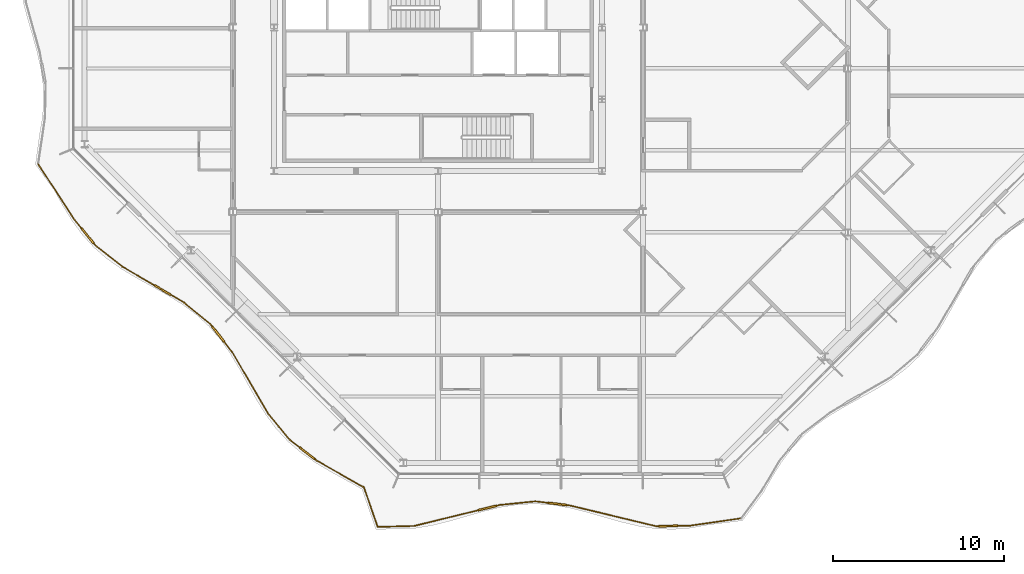
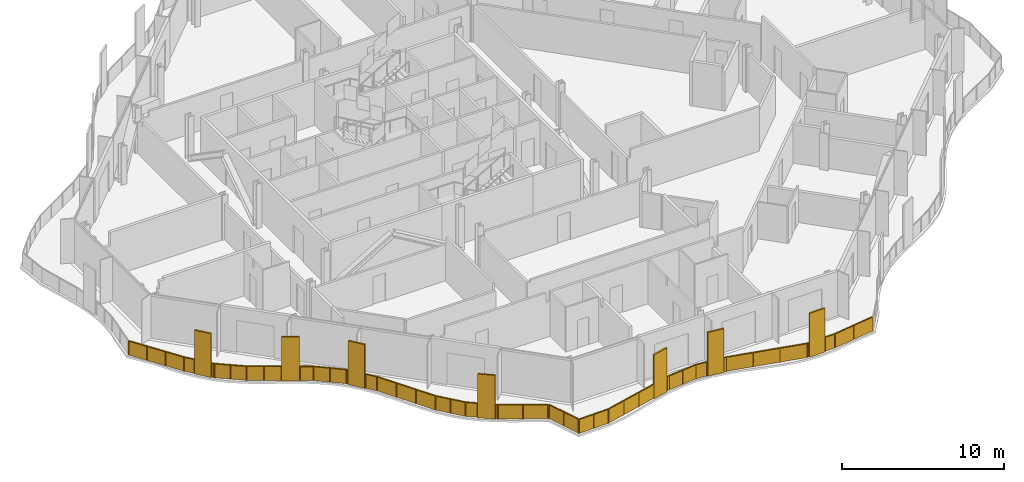
# One storey, part 13 of 17: 3 railings.
"""IFC4 building model written with IfcOpenShell, lengths in metres."""

from ifc_helpers import new_model, si_unit, direction, frame, origin, origin_2d, place, context, subcontext, project, spatial, polyline, rectangle, outline, extrude, material, type_object, element, save


model = new_model("IFC4")

# Units and contexts
model_context = context("Model", 3, precision=1e-05, world=origin(), true_north=direction((0.0, 1.0)))
body_context = subcontext(model_context, "Body", "Model", "MODEL_VIEW")
ifc_project = project(units=[si_unit("LENGTHUNIT", "METRE"), si_unit("AREAUNIT", "SQUARE_METRE"), si_unit("VOLUMEUNIT", "CUBIC_METRE"), si_unit("PLANEANGLEUNIT", "RADIAN"), si_unit("MASSUNIT", "GRAM", prefix="KILO")], contexts=[model_context])

# Site, building, storey
site_placement = place(None, origin())
site = spatial("IfcSite", under=ifc_project, at=site_placement, CompositionType="ELEMENT")
building_placement = place(site_placement, origin())
building = spatial("IfcBuilding", under=site, at=building_placement, Name="Cairn Pilgrim Tower", CompositionType="ELEMENT")
storey_placement = place(building_placement, frame((0.0, 0.0, 257.39990234375)))
storey = spatial("IfcBuildingStorey", under=building, at=storey_placement, Name="L66", CompositionType="ELEMENT", Elevation=257.39990234375)

# Railings
ifc_material_1 = material(Name="Bronze anodised aluminium rail and posts with laminated glass infill", Category="aluminium")
railing_type_1 = type_object("IfcRailingType", Name="BALCONY GUARD 1100", PredefinedType="GUARDRAIL", material=ifc_material_1)
railing_1_placement = place(storey_placement, frame((2.863037109375, -24.535400390625, 0.0)))
element("IfcRailing", 1, at=railing_1_placement, inside=storey, type_object=railing_type_1, Name="Balcony guard BG-9", PredefinedType="GUARDRAIL", context=body_context, shape_type="SweptSolid", body=[
    extrude(rectangle(XDim=0.050048828125, YDim=0.050048828125, at=origin_2d()), frame((0.0, 0.0, 1.0751953125), z_axis=(0.327071911717, -0.944999452151, 0.0), x_axis=(0.944999452151, 0.327071911717, 0.0)), (0.0, 0.0, 1.0), 2.386474609375),
    extrude(rectangle(XDim=0.050048828125, YDim=0.050048828125, at=origin_2d()), origin(), (0.0, 0.0, 1.0), 1.050048828125),
    extrude(rectangle(XDim=0.050048828125, YDim=0.050048828125, at=origin_2d()), frame((0.39013671875, -1.12744140625, 0.0)), (0.0, 0.0, 1.0), 1.050048828125),
    extrude(rectangle(XDim=0.050048828125, YDim=0.050048828125, at=origin_2d()), frame((0.780517578125, -2.255126953125, 0.0)), (0.0, 0.0, 1.0), 1.050048828125),
    extrude(outline(polyline([(0.02490234375, 0.0), (1.168212890625, 0.0), (1.168212890625, 1.050048828125), (0.02490234375, 1.050048828125), (0.02490234375, 0.0)])), frame((0.005615234375, 0.001953125, 0.0), z_axis=(-0.944999452151, -0.327071911717, 0.0), x_axis=(0.327071911717, -0.944999452151, 0.0)), (0.0, 0.0, 1.0), 0.011962890625),
    extrude(outline(polyline([(0.02490234375, 0.0), (1.168212890625, 0.0), (1.168212890625, 1.050048828125), (0.02490234375, 1.050048828125), (0.02490234375, 0.0)])), frame((0.39599609375, -1.12548828125, 0.0), z_axis=(-0.944999452151, -0.327071911717, 0.0), x_axis=(0.327071911717, -0.944999452151, 0.0)), (0.0, 0.0, 1.0), 0.011962890625),
])
ifc_material_2 = material(Name="Bronze anodised aluminium rail, posts and fin screens with laminated glass infill", Category="aluminium")
railing_type_2 = type_object("IfcRailingType", Name="BALCONY GUARD WITH FIN SCREENS", PredefinedType="GUARDRAIL", material=ifc_material_2)
railing_2_placement = place(storey_placement, frame((3.6630859375, -26.84716796875, 0.0)))
element("IfcRailing", 2, at=railing_2_placement, inside=storey, type_object=railing_type_2, Name="Balcony guard BGF-1 with fin screens", PredefinedType="GUARDRAIL", context=body_context, shape_type="SweptSolid", body=[
    extrude(rectangle(XDim=0.050048828125, YDim=0.050048828125, at=origin_2d()), frame((0.0, 0.0, 1.0751953125), z_axis=(0.999666816997, 0.025811915748, 0.0), x_axis=(-0.025811915748, 0.999666816997, 0.0)), (0.0, 0.0, 1.0), 2.128173828125),
    extrude(rectangle(XDim=1.10009765625, YDim=0.110107421875, at=origin_2d()), frame((6.423828125, 1.10498046875, 0.0), z_axis=(0.0, 0.0, 1.0), x_axis=(0.971403341759, 0.237435354613, 0.0)), (0.0, 0.0, 1.0), 3.300048828125),
    extrude(rectangle(XDim=0.050048828125, YDim=0.050048828125, at=origin_2d()), frame((2.12744140625, 0.054931640625, 1.0751953125), z_axis=(0.971403341759, 0.237435354613, 0.0), x_axis=(-0.237435354613, 0.971403341759, 0.0)), (0.0, 0.0, 1.0), 3.872802734375),
    extrude(rectangle(XDim=0.050048828125, YDim=0.050048828125, at=origin_2d()), frame((6.9580078125, 1.235595703125, 1.0751953125), z_axis=(0.971403341759, 0.237435354613, 0.0), x_axis=(-0.237435354613, 0.971403341759, 0.0)), (0.0, 0.0, 1.0), 0.222900390625),
    extrude(rectangle(XDim=0.050048828125, YDim=0.050048828125, at=origin_2d()), frame((7.174560546875, 1.28857421875, 1.0751953125), z_axis=(0.994833164728, 0.101523270029, 0.0), x_axis=(-0.101523270029, 0.994833164728, 0.0)), (0.0, 0.0, 1.0), 2.05859375),
    extrude(rectangle(XDim=1.10009765625, YDim=0.110107421875, at=origin_2d()), frame((10.52685546875, 1.341552734375, 0.0), z_axis=(0.0, 0.0, 1.0), x_axis=(0.992930548641, -0.118696779974, 0.0)), (0.0, 0.0, 1.0), 3.300048828125),
    extrude(rectangle(XDim=0.050048828125, YDim=0.050048828125, at=origin_2d()), frame((9.222412109375, 1.49755859375, 1.0751953125), z_axis=(0.992930548641, -0.118696779974, 0.0), x_axis=(0.118696779974, 0.992930548641, 0.0)), (0.0, 0.0, 1.0), 0.763671875),
    extrude(rectangle(XDim=0.050048828125, YDim=0.050048828125, at=origin_2d()), frame((11.072998046875, 1.2763671875, 1.0751953125), z_axis=(0.992930548641, -0.118696779974, 0.0), x_axis=(0.118696779974, 0.992930548641, 0.0)), (0.0, 0.0, 1.0), 0.197265625),
    extrude(rectangle(XDim=0.050048828125, YDim=0.050048828125, at=origin_2d()), frame((11.268798828125, 1.2529296875, 1.0751953125), z_axis=(0.972183556205, -0.234220266083, 0.0), x_axis=(0.234220266083, 0.972183556205, 0.0)), (0.0, 0.0, 1.0), 5.186767578125),
    extrude(rectangle(XDim=1.10009765625, YDim=0.110107421875, at=origin_2d()), frame((17.010986328125, 0.05126953125, 0.0), z_axis=(0.0, 0.0, 1.0), x_axis=(0.999819686116, 0.018989345834, 0.0)), (0.0, 0.0, 1.0), 3.300048828125),
    extrude(rectangle(XDim=0.050048828125, YDim=0.050048828125, at=origin_2d()), frame((16.311279296875, 0.0380859375, 1.0751953125), z_axis=(0.999819686116, 0.018989345834, 0.0), x_axis=(-0.018989345834, 0.999819686116, 0.0)), (0.0, 0.0, 1.0), 0.14990234375),
    extrude(rectangle(XDim=0.050048828125, YDim=0.050048828125, at=origin_2d()), frame((17.560791015625, 0.061767578125, 1.0751953125), z_axis=(0.999819686116, 0.018989345834, 0.0), x_axis=(-0.018989345834, 0.999819686116, 0.0)), (0.0, 0.0, 1.0), 0.742919921875),
    extrude(rectangle(XDim=0.050048828125, YDim=0.050048828125, at=origin_2d()), frame((18.3037109375, 0.075927734375, 1.0751953125), z_axis=(0.989774897626, 0.142638185732, 0.0), x_axis=(-0.142638185732, 0.989774897626, 0.0)), (0.0, 0.0, 1.0), 2.94921875),
    extrude(rectangle(XDim=0.050048828125, YDim=0.050048828125, at=origin_2d()), origin(), (0.0, 0.0, 1.0), 1.050048828125),
    extrude(rectangle(XDim=0.050048828125, YDim=0.050048828125, at=origin_2d()), frame((1.063720703125, 0.02734375, 0.0)), (0.0, 0.0, 1.0), 1.050048828125),
    extrude(rectangle(XDim=0.050048828125, YDim=0.050048828125, at=origin_2d()), frame((2.12744140625, 0.054931640625, 0.0)), (0.0, 0.0, 1.0), 1.050048828125),
    extrude(rectangle(XDim=0.050048828125, YDim=0.050048828125, at=origin_2d()), frame((3.373291015625, 0.359375, 0.0)), (0.0, 0.0, 1.0), 1.050048828125),
    extrude(rectangle(XDim=0.050048828125, YDim=0.050048828125, at=origin_2d()), frame((4.619140625, 0.6640625, 0.0)), (0.0, 0.0, 1.0), 1.050048828125),
    extrude(rectangle(XDim=0.050048828125, YDim=0.050048828125, at=origin_2d()), frame((5.865234375, 0.968505859375, 0.0)), (0.0, 0.0, 1.0), 1.050048828125),
    extrude(rectangle(XDim=0.050048828125, YDim=0.050048828125, at=origin_2d()), frame((6.982177734375, 1.24169921875, 0.0)), (0.0, 0.0, 1.0), 1.050048828125),
    extrude(rectangle(XDim=0.050048828125, YDim=0.050048828125, at=origin_2d()), frame((7.174560546875, 1.28857421875, 0.0)), (0.0, 0.0, 1.0), 1.050048828125),
    extrude(rectangle(XDim=0.050048828125, YDim=0.050048828125, at=origin_2d()), frame((8.198486328125, 1.39306640625, 0.0)), (0.0, 0.0, 1.0), 1.050048828125),
    extrude(rectangle(XDim=0.050048828125, YDim=0.050048828125, at=origin_2d()), frame((9.222412109375, 1.49755859375, 0.0)), (0.0, 0.0, 1.0), 1.050048828125),
    extrude(rectangle(XDim=0.050048828125, YDim=0.050048828125, at=origin_2d()), frame((9.955810546875, 1.409912109375, 0.0)), (0.0, 0.0, 1.0), 1.050048828125),
    extrude(rectangle(XDim=0.050048828125, YDim=0.050048828125, at=origin_2d()), frame((11.097900390625, 1.2734375, 0.0)), (0.0, 0.0, 1.0), 1.050048828125),
    extrude(rectangle(XDim=0.050048828125, YDim=0.050048828125, at=origin_2d()), frame((11.268798828125, 1.2529296875, 0.0)), (0.0, 0.0, 1.0), 1.050048828125),
    extrude(rectangle(XDim=0.050048828125, YDim=0.050048828125, at=origin_2d()), frame((12.94970703125, 0.847900390625, 0.0)), (0.0, 0.0, 1.0), 1.050048828125),
    extrude(rectangle(XDim=0.050048828125, YDim=0.050048828125, at=origin_2d()), frame((14.63037109375, 0.443115234375, 0.0)), (0.0, 0.0, 1.0), 1.050048828125),
    extrude(rectangle(XDim=0.050048828125, YDim=0.050048828125, at=origin_2d()), frame((16.311279296875, 0.0380859375, 0.0)), (0.0, 0.0, 1.0), 1.050048828125),
    extrude(rectangle(XDim=0.050048828125, YDim=0.050048828125, at=origin_2d()), frame((16.43603515625, 0.04052734375, 0.0)), (0.0, 0.0, 1.0), 1.050048828125),
    extrude(rectangle(XDim=0.050048828125, YDim=0.050048828125, at=origin_2d()), frame((17.5859375, 0.062255859375, 0.0)), (0.0, 0.0, 1.0), 1.050048828125),
    extrude(rectangle(XDim=0.050048828125, YDim=0.050048828125, at=origin_2d()), frame((18.3037109375, 0.075927734375, 0.0)), (0.0, 0.0, 1.0), 1.050048828125),
    extrude(rectangle(XDim=0.050048828125, YDim=0.050048828125, at=origin_2d()), frame((19.76318359375, 0.2861328125, 0.0)), (0.0, 0.0, 1.0), 1.050048828125),
    extrude(rectangle(XDim=0.050048828125, YDim=0.050048828125, at=origin_2d()), frame((21.22265625, 0.49658203125, 0.0)), (0.0, 0.0, 1.0), 1.050048828125),
    extrude(outline(polyline([(0.02490234375, 0.0), (1.0390625, 0.0), (1.0390625, 1.050048828125), (0.02490234375, 1.050048828125), (0.02490234375, 0.0)])), frame((-0.000244140625, 0.005859375, 0.0), z_axis=(0.025811915748, -0.999666816997, 0.0), x_axis=(0.999666816997, 0.025811915748, 0.0)), (0.0, 0.0, 1.0), 0.011962890625),
    extrude(outline(polyline([(0.02490234375, 0.0), (1.0390625, 0.0), (1.0390625, 1.050048828125), (0.02490234375, 1.050048828125), (0.02490234375, 0.0)])), frame((1.0634765625, 0.033447265625, 0.0), z_axis=(0.025811915748, -0.999666816997, 0.0), x_axis=(0.999666816997, 0.025811915748, 0.0)), (0.0, 0.0, 1.0), 0.011962890625),
    extrude(outline(polyline([(0.02490234375, 0.0), (1.257568359375, 0.0), (1.257568359375, 1.050048828125), (0.02490234375, 1.050048828125), (0.02490234375, 0.0)])), frame((2.1259765625, 0.060791015625, 0.0), z_axis=(0.237435354613, -0.971403341759, 0.0), x_axis=(0.971403341759, 0.237435354613, 0.0)), (0.0, 0.0, 1.0), 0.011962890625),
    extrude(outline(polyline([(0.02490234375, 0.0), (1.257568359375, 0.0), (1.257568359375, 1.050048828125), (0.02490234375, 1.050048828125), (0.02490234375, 0.0)])), frame((3.371826171875, 0.365234375, 0.0), z_axis=(0.237435354613, -0.971403341759, 0.0), x_axis=(0.971403341759, 0.237435354613, 0.0)), (0.0, 0.0, 1.0), 0.011962890625),
    extrude(outline(polyline([(0.02490234375, 0.0), (1.257568359375, 0.0), (1.257568359375, 1.050048828125), (0.02490234375, 1.050048828125), (0.02490234375, 0.0)])), frame((4.617919921875, 0.669677734375, 0.0), z_axis=(0.237435354613, -0.971403341759, 0.0), x_axis=(0.971403341759, 0.237435354613, 0.0)), (0.0, 0.0, 1.0), 0.011962890625),
    extrude(outline(polyline([(0.02490234375, 0.0), (0.1728515625, 0.0), (0.1728515625, 1.050048828125), (0.02490234375, 1.050048828125), (0.02490234375, 0.0)])), frame((6.98095703125, 1.247314453125, 0.0), z_axis=(0.237435354613, -0.971403341759, 0.0), x_axis=(0.971403341759, 0.237435354613, 0.0)), (0.0, 0.0, 1.0), 0.011962890625),
    extrude(outline(polyline([(0.02490234375, 0.0), (1.004150390625, 0.0), (1.004150390625, 1.050048828125), (0.02490234375, 1.050048828125), (0.02490234375, 0.0)])), frame((7.174072265625, 1.29443359375, 0.0), z_axis=(0.101523270029, -0.994833164728, 0.0), x_axis=(0.994833164728, 0.101523270029, 0.0)), (0.0, 0.0, 1.0), 0.011962890625),
    extrude(outline(polyline([(0.02490234375, 0.0), (1.004150390625, 0.0), (1.004150390625, 1.050048828125), (0.02490234375, 1.050048828125), (0.02490234375, 0.0)])), frame((8.197998046875, 1.39892578125, 0.0), z_axis=(0.101523270029, -0.994833164728, 0.0), x_axis=(0.994833164728, 0.101523270029, 0.0)), (0.0, 0.0, 1.0), 0.011962890625),
    extrude(outline(polyline([(0.02490234375, 0.0), (0.713623046875, 0.0), (0.713623046875, 1.050048828125), (0.02490234375, 1.050048828125), (0.02490234375, 0.0)])), frame((9.22314453125, 1.50341796875, 0.0), z_axis=(-0.118696779974, -0.992930548641, 0.0), x_axis=(0.992930548641, -0.118696779974, 0.0)), (0.0, 0.0, 1.0), 0.011962890625),
    extrude(outline(polyline([(0.02490234375, 0.0), (0.147216796875, 0.0), (0.147216796875, 1.050048828125), (0.02490234375, 1.050048828125), (0.02490234375, 0.0)])), frame((11.0986328125, 1.279296875, 0.0), z_axis=(-0.118696779974, -0.992930548641, 0.0), x_axis=(0.992930548641, -0.118696779974, 0.0)), (0.0, 0.0, 1.0), 0.011962890625),
    extrude(outline(polyline([(0.02490234375, 0.0), (1.703857421875, 0.0), (1.703857421875, 1.050048828125), (0.02490234375, 1.050048828125), (0.02490234375, 0.0)])), frame((11.270263671875, 1.2587890625, 0.0), z_axis=(-0.234220266083, -0.972183556205, 0.0), x_axis=(0.972183556205, -0.234220266083, 0.0)), (0.0, 0.0, 1.0), 0.011962890625),
    extrude(outline(polyline([(0.02490234375, 0.0), (1.703857421875, 0.0), (1.703857421875, 1.050048828125), (0.02490234375, 1.050048828125), (0.02490234375, 0.0)])), frame((12.950927734375, 0.853759765625, 0.0), z_axis=(-0.234220266083, -0.972183556205, 0.0), x_axis=(0.972183556205, -0.234220266083, 0.0)), (0.0, 0.0, 1.0), 0.011962890625),
    extrude(outline(polyline([(0.02490234375, 0.0), (1.703857421875, 0.0), (1.703857421875, 1.050048828125), (0.02490234375, 1.050048828125), (0.02490234375, 0.0)])), frame((14.6318359375, 0.44873046875, 0.0), z_axis=(-0.234220266083, -0.972183556205, 0.0), x_axis=(0.972183556205, -0.234220266083, 0.0)), (0.0, 0.0, 1.0), 0.011962890625),
    extrude(outline(polyline([(0.02490234375, 0.0), (0.099853515625, 0.0), (0.099853515625, 1.050048828125), (0.02490234375, 1.050048828125), (0.02490234375, 0.0)])), frame((16.311279296875, 0.0439453125, 0.0), z_axis=(0.018989345834, -0.999819686116, 0.0), x_axis=(0.999819686116, 0.018989345834, 0.0)), (0.0, 0.0, 1.0), 0.011962890625),
    extrude(outline(polyline([(0.02490234375, 0.0), (0.69287109375, 0.0), (0.69287109375, 1.050048828125), (0.02490234375, 1.050048828125), (0.02490234375, 0.0)])), frame((17.585693359375, 0.068359375, 0.0), z_axis=(0.018989345834, -0.999819686116, 0.0), x_axis=(0.999819686116, 0.018989345834, 0.0)), (0.0, 0.0, 1.0), 0.011962890625),
    extrude(outline(polyline([(0.02490234375, 0.0), (1.449462890625, 0.0), (1.449462890625, 1.050048828125), (0.02490234375, 1.050048828125), (0.02490234375, 0.0)])), frame((18.302978515625, 0.081787109375, 0.0), z_axis=(0.142638185732, -0.989774897626, 0.0), x_axis=(0.989774897626, 0.142638185732, 0.0)), (0.0, 0.0, 1.0), 0.011962890625),
    extrude(outline(polyline([(0.02490234375, 0.0), (1.449462890625, 0.0), (1.449462890625, 1.050048828125), (0.02490234375, 1.050048828125), (0.02490234375, 0.0)])), frame((19.762451171875, 0.292236328125, 0.0), z_axis=(0.142638185732, -0.989774897626, 0.0), x_axis=(0.989774897626, 0.142638185732, 0.0)), (0.0, 0.0, 1.0), 0.011962890625),
])
railing_3_placement = place(storey_placement, frame((-16.222412109375, -5.585693359375, 0.0)))
element("IfcRailing", 3, at=railing_3_placement, inside=storey, type_object=railing_type_2, Name="Balcony guard BGF-8 with fin screens", PredefinedType="GUARDRAIL", context=body_context, shape_type="SweptSolid", body=[
    extrude(rectangle(XDim=0.050048828125, YDim=0.050048828125, at=origin_2d()), frame((0.0, 0.0, 1.0751953125), z_axis=(0.544376488837, -0.838841009013, 0.0), x_axis=(0.838841009013, 0.544376488837, 0.0)), (0.0, 0.0, 1.0), 3.85791015625),
    extrude(rectangle(XDim=1.10009765625, YDim=0.110107421875, at=origin_2d()), frame((2.893310546875, -4.2080078125, 0.0), z_axis=(0.0, 0.0, 1.0), x_axis=(0.632298630268, -0.774724752516, 0.0)), (0.0, 0.0, 1.0), 3.300048828125),
    extrude(rectangle(XDim=0.050048828125, YDim=0.050048828125, at=origin_2d()), frame((2.10009765625, -3.236083984375, 1.0751953125), z_axis=(0.632298630268, -0.774724752516, 0.0), x_axis=(0.774724752516, 0.632298630268, 0.0)), (0.0, 0.0, 1.0), 0.70458984375),
    extrude(rectangle(XDim=0.050048828125, YDim=0.050048828125, at=origin_2d()), frame((3.240966796875, -4.634033203125, 1.0751953125), z_axis=(0.632298630268, -0.774724752516, 0.0), x_axis=(0.774724752516, 0.632298630268, 0.0)), (0.0, 0.0, 1.0), 0.1923828125),
    extrude(rectangle(XDim=0.050048828125, YDim=0.050048828125, at=origin_2d()), frame((3.36279296875, -4.783203125, 1.0751953125), z_axis=(0.785873030699, -0.618387887673, 0.0), x_axis=(0.618387887673, 0.785873030699, 0.0)), (0.0, 0.0, 1.0), 1.99853515625),
    extrude(rectangle(XDim=1.10009765625, YDim=0.110107421875, at=origin_2d()), frame((7.299560546875, -7.39501953125, 0.0), z_axis=(0.0, 0.0, 1.0), x_axis=(0.864475774736, -0.50267448204, 0.0)), (0.0, 0.0, 1.0), 3.300048828125),
    extrude(rectangle(XDim=0.050048828125, YDim=0.050048828125, at=origin_2d()), frame((4.933349609375, -6.01904296875, 1.0751953125), z_axis=(0.864475774736, -0.50267448204, 0.0), x_axis=(0.50267448204, 0.864475774736, 0.0)), (0.0, 0.0, 1.0), 2.18701171875),
    extrude(rectangle(XDim=0.050048828125, YDim=0.050048828125, at=origin_2d()), frame((7.77490234375, -7.67138671875, 1.0751953125), z_axis=(0.864475774736, -0.50267448204, 0.0), x_axis=(0.50267448204, 0.864475774736, 0.0)), (0.0, 0.0, 1.0), 0.875732421875),
    extrude(rectangle(XDim=0.050048828125, YDim=0.050048828125, at=origin_2d()), frame((8.531982421875, -8.111572265625, 1.0751953125), z_axis=(0.77174450236, -0.635932718987, 0.0), x_axis=(0.635932718987, 0.77174450236, 0.0)), (0.0, 0.0, 1.0), 2.04931640625),
    extrude(rectangle(XDim=1.10009765625, YDim=0.110107421875, at=origin_2d()), frame((10.5439453125, -9.967041015625, 0.0), z_axis=(0.0, 0.0, 1.0), x_axis=(0.614771576863, -0.78870521, 0.0)), (0.0, 0.0, 1.0), 3.300048828125),
    extrude(rectangle(XDim=0.050048828125, YDim=0.050048828125, at=origin_2d()), frame((10.113525390625, -9.414794921875, 1.0751953125), z_axis=(0.614771576863, -0.78870521, 0.0), x_axis=(0.78870521, 0.614771576863, 0.0)), (0.0, 0.0, 1.0), 0.150146484375),
    extrude(rectangle(XDim=0.050048828125, YDim=0.050048828125, at=origin_2d()), frame((10.882080078125, -10.40087890625, 1.0751953125), z_axis=(0.614771576863, -0.78870521, 0.0), x_axis=(0.78870521, 0.614771576863, 0.0)), (0.0, 0.0, 1.0), 0.803466796875),
    extrude(rectangle(XDim=0.050048828125, YDim=0.050048828125, at=origin_2d()), frame((11.3759765625, -11.034423828125, 1.0751953125), z_axis=(0.502888793537, -0.864351121556, 0.0), x_axis=(0.864351121556, 0.502888793537, 0.0)), (0.0, 0.0, 1.0), 4.15869140625),
    extrude(rectangle(XDim=0.050048828125, YDim=0.050048828125, at=origin_2d()), frame((13.46728515625, -14.62890625, 1.0751953125), z_axis=(0.639641344429, -0.768673500582, 0.0), x_axis=(0.768673500582, 0.639641344429, 0.0)), (0.0, 0.0, 1.0), 1.990478515625),
    extrude(rectangle(XDim=1.10009765625, YDim=0.110107421875, at=origin_2d()), frame((15.77001953125, -16.9541015625, 0.0), z_axis=(0.0, 0.0, 1.0), x_axis=(0.791456721316, -0.611225210773, 0.0)), (0.0, 0.0, 1.0), 3.300048828125),
    extrude(rectangle(XDim=0.050048828125, YDim=0.050048828125, at=origin_2d()), frame((14.740478515625, -16.158935546875, 1.0751953125), z_axis=(0.791456721316, -0.611225210773, 0.0), x_axis=(0.611225210773, 0.791456721316, 0.0)), (0.0, 0.0, 1.0), 0.750732421875),
    extrude(rectangle(XDim=0.050048828125, YDim=0.050048828125, at=origin_2d()), frame((16.205322265625, -17.290283203125, 1.0751953125), z_axis=(0.791456721316, -0.611225210773, 0.0), x_axis=(0.611225210773, 0.791456721316, 0.0)), (0.0, 0.0, 1.0), 0.14990234375),
    extrude(rectangle(XDim=0.050048828125, YDim=0.050048828125, at=origin_2d()), frame((16.323974609375, -17.3818359375, 1.0751953125), z_axis=(0.869594982005, -0.493765700785, 0.0), x_axis=(0.493765700785, 0.869594982005, 0.0)), (0.0, 0.0, 1.0), 3.115478515625),
    extrude(rectangle(XDim=0.050048828125, YDim=0.050048828125, at=origin_2d()), origin(), (0.0, 0.0, 1.0), 1.050048828125),
    extrude(rectangle(XDim=0.050048828125, YDim=0.050048828125, at=origin_2d()), frame((0.699951171875, -1.07861328125, 0.0)), (0.0, 0.0, 1.0), 1.050048828125),
    extrude(rectangle(XDim=0.050048828125, YDim=0.050048828125, at=origin_2d()), frame((1.400146484375, -2.157470703125, 0.0)), (0.0, 0.0, 1.0), 1.050048828125),
    extrude(rectangle(XDim=0.050048828125, YDim=0.050048828125, at=origin_2d()), frame((2.10009765625, -3.236083984375, 0.0)), (0.0, 0.0, 1.0), 1.050048828125),
    extrude(rectangle(XDim=0.050048828125, YDim=0.050048828125, at=origin_2d()), frame((2.52978515625, -3.762451171875, 0.0)), (0.0, 0.0, 1.0), 1.050048828125),
    extrude(rectangle(XDim=0.050048828125, YDim=0.050048828125, at=origin_2d()), frame((3.2568359375, -4.653564453125, 0.0)), (0.0, 0.0, 1.0), 1.050048828125),
    extrude(rectangle(XDim=0.050048828125, YDim=0.050048828125, at=origin_2d()), frame((3.36279296875, -4.783203125, 0.0)), (0.0, 0.0, 1.0), 1.050048828125),
    extrude(rectangle(XDim=0.050048828125, YDim=0.050048828125, at=origin_2d()), frame((4.14794921875, -5.401123046875, 0.0)), (0.0, 0.0, 1.0), 1.050048828125),
    extrude(rectangle(XDim=0.050048828125, YDim=0.050048828125, at=origin_2d()), frame((4.933349609375, -6.01904296875, 0.0)), (0.0, 0.0, 1.0), 1.050048828125),
    extrude(rectangle(XDim=0.050048828125, YDim=0.050048828125, at=origin_2d()), frame((5.867919921875, -6.5625, 0.0)), (0.0, 0.0, 1.0), 1.050048828125),
    extrude(rectangle(XDim=0.050048828125, YDim=0.050048828125, at=origin_2d()), frame((6.802490234375, -7.10595703125, 0.0)), (0.0, 0.0, 1.0), 1.050048828125),
    extrude(rectangle(XDim=0.050048828125, YDim=0.050048828125, at=origin_2d()), frame((7.796630859375, -7.68408203125, 0.0)), (0.0, 0.0, 1.0), 1.050048828125),
    extrude(rectangle(XDim=0.050048828125, YDim=0.050048828125, at=origin_2d()), frame((8.531982421875, -8.111572265625, 0.0)), (0.0, 0.0, 1.0), 1.050048828125),
    extrude(rectangle(XDim=0.050048828125, YDim=0.050048828125, at=origin_2d()), frame((9.32275390625, -8.76318359375, 0.0)), (0.0, 0.0, 1.0), 1.050048828125),
    extrude(rectangle(XDim=0.050048828125, YDim=0.050048828125, at=origin_2d()), frame((10.113525390625, -9.414794921875, 0.0)), (0.0, 0.0, 1.0), 1.050048828125),
    extrude(rectangle(XDim=0.050048828125, YDim=0.050048828125, at=origin_2d()), frame((10.1904296875, -9.513427734375, 0.0)), (0.0, 0.0, 1.0), 1.050048828125),
    extrude(rectangle(XDim=0.050048828125, YDim=0.050048828125, at=origin_2d()), frame((10.8974609375, -10.42041015625, 0.0)), (0.0, 0.0, 1.0), 1.050048828125),
    extrude(rectangle(XDim=0.050048828125, YDim=0.050048828125, at=origin_2d()), frame((11.3759765625, -11.034423828125, 0.0)), (0.0, 0.0, 1.0), 1.050048828125),
    extrude(rectangle(XDim=0.050048828125, YDim=0.050048828125, at=origin_2d()), frame((12.072998046875, -12.232666015625, 0.0)), (0.0, 0.0, 1.0), 1.050048828125),
    extrude(rectangle(XDim=0.050048828125, YDim=0.050048828125, at=origin_2d()), frame((12.770263671875, -13.4306640625, 0.0)), (0.0, 0.0, 1.0), 1.050048828125),
    extrude(rectangle(XDim=0.050048828125, YDim=0.050048828125, at=origin_2d()), frame((13.46728515625, -14.62890625, 0.0)), (0.0, 0.0, 1.0), 1.050048828125),
    extrude(rectangle(XDim=0.050048828125, YDim=0.050048828125, at=origin_2d()), frame((14.10400390625, -15.39404296875, 0.0)), (0.0, 0.0, 1.0), 1.050048828125),
    extrude(rectangle(XDim=0.050048828125, YDim=0.050048828125, at=origin_2d()), frame((14.740478515625, -16.158935546875, 0.0)), (0.0, 0.0, 1.0), 1.050048828125),
    extrude(rectangle(XDim=0.050048828125, YDim=0.050048828125, at=origin_2d()), frame((15.31494140625, -16.6025390625, 0.0)), (0.0, 0.0, 1.0), 1.050048828125),
    extrude(rectangle(XDim=0.050048828125, YDim=0.050048828125, at=origin_2d()), frame((16.22509765625, -17.305419921875, 0.0)), (0.0, 0.0, 1.0), 1.050048828125),
    extrude(rectangle(XDim=0.050048828125, YDim=0.050048828125, at=origin_2d()), frame((16.323974609375, -17.3818359375, 0.0)), (0.0, 0.0, 1.0), 1.050048828125),
    extrude(rectangle(XDim=0.050048828125, YDim=0.050048828125, at=origin_2d()), frame((17.6787109375, -18.15087890625, 0.0)), (0.0, 0.0, 1.0), 1.050048828125),
    extrude(rectangle(XDim=0.050048828125, YDim=0.050048828125, at=origin_2d()), frame((19.033203125, -18.920166015625, 0.0)), (0.0, 0.0, 1.0), 1.050048828125),
    extrude(outline(polyline([(0.02490234375, 0.0), (1.260986328125, 0.0), (1.260986328125, 1.050048828125), (0.02490234375, 1.050048828125), (0.02490234375, 0.0)])), frame((0.005126953125, 0.003173828125, 0.0), z_axis=(-0.838841009013, -0.544376488837, 0.0), x_axis=(0.544376488837, -0.838841009013, 0.0)), (0.0, 0.0, 1.0), 0.011962890625),
    extrude(outline(polyline([(0.02490234375, 0.0), (1.260986328125, 0.0), (1.260986328125, 1.050048828125), (0.02490234375, 1.050048828125), (0.02490234375, 0.0)])), frame((0.705078125, -1.075439453125, 0.0), z_axis=(-0.838841009013, -0.544376488837, 0.0), x_axis=(0.544376488837, -0.838841009013, 0.0)), (0.0, 0.0, 1.0), 0.011962890625),
    extrude(outline(polyline([(0.02490234375, 0.0), (1.260986328125, 0.0), (1.260986328125, 1.050048828125), (0.02490234375, 1.050048828125), (0.02490234375, 0.0)])), frame((1.405029296875, -2.154052734375, 0.0), z_axis=(-0.838841009013, -0.544376488837, 0.0), x_axis=(0.544376488837, -0.838841009013, 0.0)), (0.0, 0.0, 1.0), 0.011962890625),
    extrude(outline(polyline([(0.02490234375, 0.0), (0.654541015625, 0.0), (0.654541015625, 1.050048828125), (0.02490234375, 1.050048828125), (0.02490234375, 0.0)])), frame((2.104736328125, -3.232421875, 0.0), z_axis=(-0.774724752516, -0.632298630268, 0.0), x_axis=(0.632298630268, -0.774724752516, 0.0)), (0.0, 0.0, 1.0), 0.011962890625),
    extrude(outline(polyline([(0.02490234375, 0.0), (0.142333984375, 0.0), (0.142333984375, 1.050048828125), (0.02490234375, 1.050048828125), (0.02490234375, 0.0)])), frame((3.261474609375, -4.649658203125, 0.0), z_axis=(-0.774724752516, -0.632298630268, 0.0), x_axis=(0.632298630268, -0.774724752516, 0.0)), (0.0, 0.0, 1.0), 0.011962890625),
    extrude(outline(polyline([(0.02490234375, 0.0), (0.97412109375, 0.0), (0.97412109375, 1.050048828125), (0.02490234375, 1.050048828125), (0.02490234375, 0.0)])), frame((3.366455078125, -4.778564453125, 0.0), z_axis=(-0.618387887673, -0.785873030699, 0.0), x_axis=(0.785873030699, -0.618387887673, 0.0)), (0.0, 0.0, 1.0), 0.011962890625),
    extrude(outline(polyline([(0.02490234375, 0.0), (0.97412109375, 0.0), (0.97412109375, 1.050048828125), (0.02490234375, 1.050048828125), (0.02490234375, 0.0)])), frame((4.15185546875, -5.396484375, 0.0), z_axis=(-0.618387887673, -0.785873030699, 0.0), x_axis=(0.785873030699, -0.618387887673, 0.0)), (0.0, 0.0, 1.0), 0.011962890625),
    extrude(outline(polyline([(0.02490234375, 0.0), (1.055908203125, 0.0), (1.055908203125, 1.050048828125), (0.02490234375, 1.050048828125), (0.02490234375, 0.0)])), frame((4.936279296875, -6.013916015625, 0.0), z_axis=(-0.50267448204, -0.864475774736, 0.0), x_axis=(0.864475774736, -0.50267448204, 0.0)), (0.0, 0.0, 1.0), 0.011962890625),
    extrude(outline(polyline([(0.02490234375, 0.0), (1.055908203125, 0.0), (1.055908203125, 1.050048828125), (0.02490234375, 1.050048828125), (0.02490234375, 0.0)])), frame((5.870849609375, -6.557373046875, 0.0), z_axis=(-0.50267448204, -0.864475774736, 0.0), x_axis=(0.864475774736, -0.50267448204, 0.0)), (0.0, 0.0, 1.0), 0.011962890625),
    extrude(outline(polyline([(0.02490234375, 0.0), (0.82568359375, 0.0), (0.82568359375, 1.050048828125), (0.02490234375, 1.050048828125), (0.02490234375, 0.0)])), frame((7.799560546875, -7.6787109375, 0.0), z_axis=(-0.50267448204, -0.864475774736, 0.0), x_axis=(0.864475774736, -0.50267448204, 0.0)), (0.0, 0.0, 1.0), 0.011962890625),
    extrude(outline(polyline([(0.02490234375, 0.0), (0.99951171875, 0.0), (0.99951171875, 1.050048828125), (0.02490234375, 1.050048828125), (0.02490234375, 0.0)])), frame((8.535888671875, -8.10693359375, 0.0), z_axis=(-0.635932718987, -0.77174450236, 0.0), x_axis=(0.77174450236, -0.635932718987, 0.0)), (0.0, 0.0, 1.0), 0.011962890625),
    extrude(outline(polyline([(0.02490234375, 0.0), (0.99951171875, 0.0), (0.99951171875, 1.050048828125), (0.02490234375, 1.050048828125), (0.02490234375, 0.0)])), frame((9.32666015625, -8.758544921875, 0.0), z_axis=(-0.635932718987, -0.77174450236, 0.0), x_axis=(0.77174450236, -0.635932718987, 0.0)), (0.0, 0.0, 1.0), 0.011962890625),
    extrude(outline(polyline([(0.02490234375, 0.0), (0.10009765625, 0.0), (0.10009765625, 1.050048828125), (0.02490234375, 1.050048828125), (0.02490234375, 0.0)])), frame((10.1181640625, -9.4111328125, 0.0), z_axis=(-0.78870521, -0.614771576863, 0.0), x_axis=(0.614771576863, -0.78870521, 0.0)), (0.0, 0.0, 1.0), 0.011962890625),
    extrude(outline(polyline([(0.02490234375, 0.0), (0.75341796875, 0.0), (0.75341796875, 1.050048828125), (0.02490234375, 1.050048828125), (0.02490234375, 0.0)])), frame((10.902099609375, -10.416748046875, 0.0), z_axis=(-0.78870521, -0.614771576863, 0.0), x_axis=(0.614771576863, -0.78870521, 0.0)), (0.0, 0.0, 1.0), 0.011962890625),
    extrude(outline(polyline([(0.02490234375, 0.0), (1.361083984375, 0.0), (1.361083984375, 1.050048828125), (0.02490234375, 1.050048828125), (0.02490234375, 0.0)])), frame((11.381103515625, -11.031494140625, 0.0), z_axis=(-0.864351121556, -0.502888793537, 0.0), x_axis=(0.502888793537, -0.864351121556, 0.0)), (0.0, 0.0, 1.0), 0.011962890625),
    extrude(outline(polyline([(0.02490234375, 0.0), (1.361083984375, 0.0), (1.361083984375, 1.050048828125), (0.02490234375, 1.050048828125), (0.02490234375, 0.0)])), frame((12.078369140625, -12.2294921875, 0.0), z_axis=(-0.864351121556, -0.502888793537, 0.0), x_axis=(0.502888793537, -0.864351121556, 0.0)), (0.0, 0.0, 1.0), 0.011962890625),
    extrude(outline(polyline([(0.02490234375, 0.0), (1.361083984375, 0.0), (1.361083984375, 1.050048828125), (0.02490234375, 1.050048828125), (0.02490234375, 0.0)])), frame((12.775390625, -13.427734375, 0.0), z_axis=(-0.864351121556, -0.502888793537, 0.0), x_axis=(0.502888793537, -0.864351121556, 0.0)), (0.0, 0.0, 1.0), 0.011962890625),
    extrude(outline(polyline([(0.02490234375, 0.0), (0.97021484375, 0.0), (0.97021484375, 1.050048828125), (0.02490234375, 1.050048828125), (0.02490234375, 0.0)])), frame((13.471923828125, -14.625, 0.0), z_axis=(-0.768673500582, -0.639641344429, 0.0), x_axis=(0.639641344429, -0.768673500582, 0.0)), (0.0, 0.0, 1.0), 0.011962890625),
    extrude(outline(polyline([(0.02490234375, 0.0), (0.97021484375, 0.0), (0.97021484375, 1.050048828125), (0.02490234375, 1.050048828125), (0.02490234375, 0.0)])), frame((14.1083984375, -15.39013671875, 0.0), z_axis=(-0.768673500582, -0.639641344429, 0.0), x_axis=(0.639641344429, -0.768673500582, 0.0)), (0.0, 0.0, 1.0), 0.011962890625),
    extrude(outline(polyline([(0.02490234375, 0.0), (0.70068359375, 0.0), (0.70068359375, 1.050048828125), (0.02490234375, 1.050048828125), (0.02490234375, 0.0)])), frame((14.744140625, -16.154296875, 0.0), z_axis=(-0.611225210773, -0.791456721316, 0.0), x_axis=(0.791456721316, -0.611225210773, 0.0)), (0.0, 0.0, 1.0), 0.011962890625),
    extrude(outline(polyline([(0.02490234375, 0.0), (0.099853515625, 0.0), (0.099853515625, 1.050048828125), (0.02490234375, 1.050048828125), (0.02490234375, 0.0)])), frame((16.228759765625, -17.30078125, 0.0), z_axis=(-0.611225210773, -0.791456721316, 0.0), x_axis=(0.791456721316, -0.611225210773, 0.0)), (0.0, 0.0, 1.0), 0.011962890625),
    extrude(outline(polyline([(0.02490234375, 0.0), (1.53271484375, 0.0), (1.53271484375, 1.050048828125), (0.02490234375, 1.050048828125), (0.02490234375, 0.0)])), frame((16.326904296875, -17.376708984375, 0.0), z_axis=(-0.493765700785, -0.869594982005, 0.0), x_axis=(0.869594982005, -0.493765700785, 0.0)), (0.0, 0.0, 1.0), 0.011962890625),
    extrude(outline(polyline([(0.02490234375, 0.0), (1.53271484375, 0.0), (1.53271484375, 1.050048828125), (0.02490234375, 1.050048828125), (0.02490234375, 0.0)])), frame((17.681640625, -18.145751953125, 0.0), z_axis=(-0.493765700785, -0.869594982005, 0.0), x_axis=(0.869594982005, -0.493765700785, 0.0)), (0.0, 0.0, 1.0), 0.011962890625),
])

save(model, "model.ifc")
